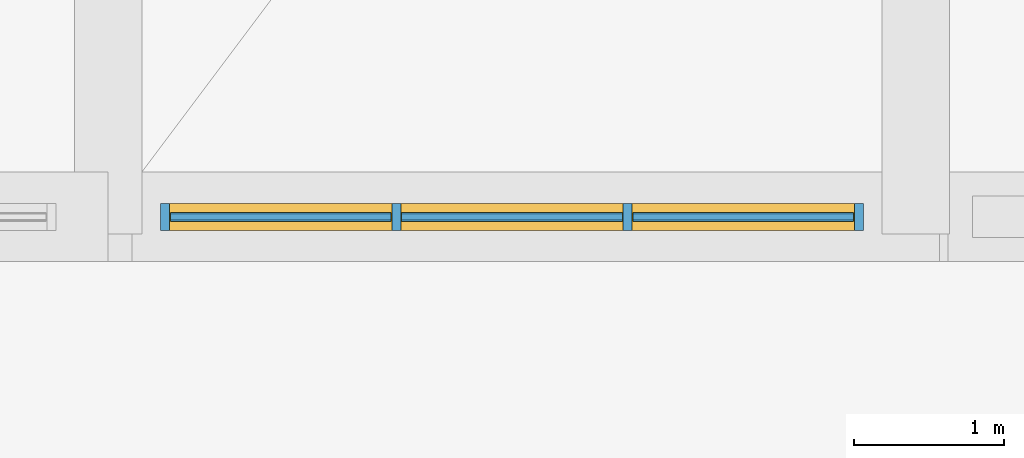
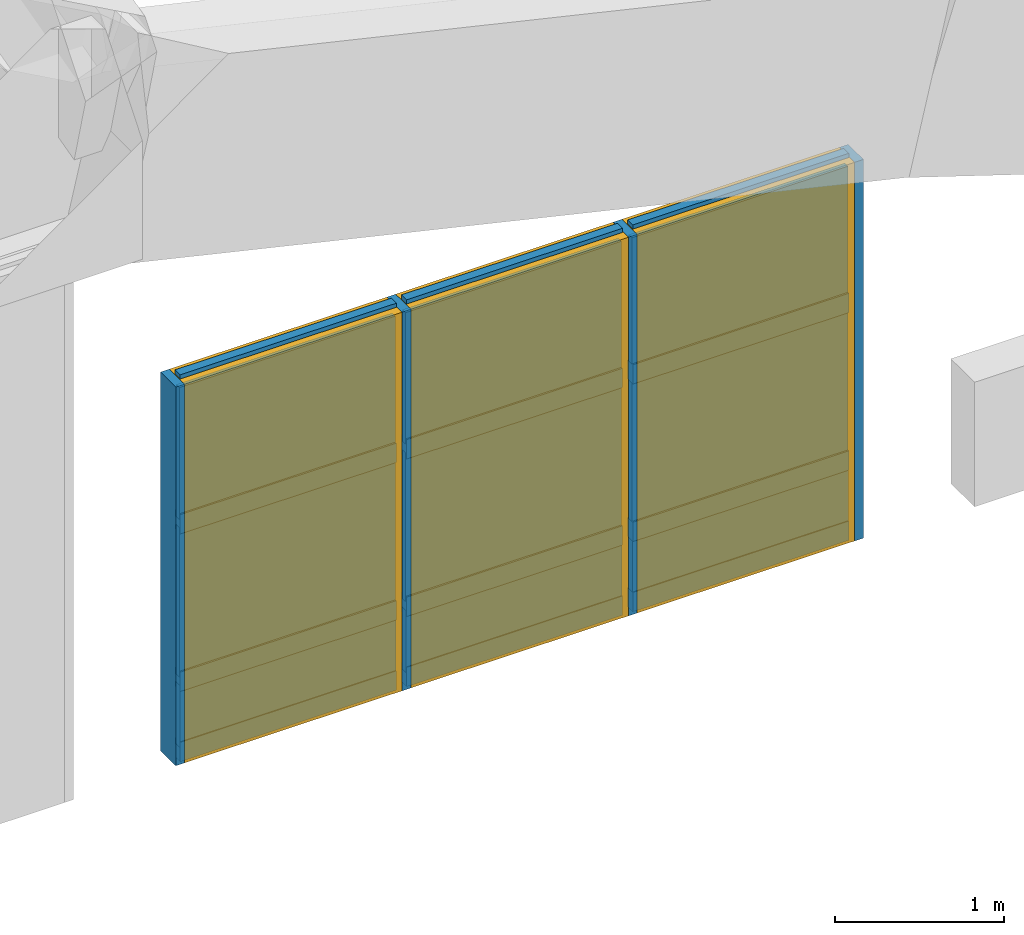
# One storey, part 27 of 27: 16 members, 9 plates, 1 curtain wall.
"""IFC4 building model written with IfcOpenShell, lengths in metres."""

from ifc_helpers import new_model, si_unit, direction, frame, frame_2d, origin, origin_2d, place, context, subcontext, project, spatial, rectangle, extrude, material, layer, layer_set, material_profile, profile_set, type_object, element, aggregate, save


model = new_model("IFC4")

# Units and contexts
model_context = context("Model", 3, precision=1e-05, world=origin(), true_north=direction((0.0, 1.0)))
body_context = subcontext(model_context, "Body", "Model", "MODEL_VIEW")
ifc_project = project(units=[si_unit("LENGTHUNIT", "METRE"), si_unit("AREAUNIT", "SQUARE_METRE"), si_unit("VOLUMEUNIT", "CUBIC_METRE"), si_unit("PLANEANGLEUNIT", "RADIAN"), si_unit("MASSUNIT", "GRAM", prefix="KILO")], contexts=[model_context])

# Member
ifc_material_1 = material(Name="Anodised Bronze Aluminium 6063-T6", Category="aluminium")
ifc_material_profile_1 = material_profile(ifc_material_1, rectangle(XDim=0.06005859375, YDim=0.179931640625, at=origin_2d()), Name="ALU MULLION 60x180")
ifc_profile_set_1 = profile_set([ifc_material_profile_1], Name="Anodised Bronze Aluminium 6063-T6")
member_type_1 = type_object("IfcMemberType", Name="Curtain-Wall Primary Mullion 60x180", PredefinedType="MULLION", material=ifc_profile_set_1)
site_placement = place(None, origin())
building_placement = place(site_placement, origin())
storey_placement = place(building_placement, frame((0.0, 0.0, 24.89990234375)))
member_1_placement = place(storey_placement, frame((79.580078125, 51.800048828125, -8.0498046875), z_axis=(0.0, 0.0, 1.0), x_axis=(1.0, 0.0, 0.0)))
member_1 = element("IfcMember", 1, at=member_1_placement, type_object=member_type_1, Name="Mullion CWM-01 CW-V1-TYMP-S-B5-M01", PredefinedType="MULLION", context=body_context, shape_type="SweptSolid", body=[
    extrude(rectangle(XDim=0.06005859375, YDim=0.179931640625, at=origin_2d()), origin(), (0.0, 0.0, 1.0), 2.736083984375),
])

member_2_placement = place(storey_placement, frame((81.126708984375, 51.800048828125, -8.0498046875), z_axis=(0.0, 0.0, 1.0), x_axis=(1.0, 0.0, 0.0)))
member_2 = element("IfcMember", 2, at=member_2_placement, type_object=member_type_1, Name="Mullion CWM-01 CW-V1-TYMP-S-B5-M02", PredefinedType="MULLION", context=body_context, shape_type="SweptSolid", body=[
    extrude(rectangle(XDim=0.06005859375, YDim=0.179931640625, at=origin_2d()), origin(), (0.0, 0.0, 1.0), 2.736083984375),
])

member_3_placement = place(storey_placement, frame((82.67333984375, 51.800048828125, -8.0498046875), z_axis=(0.0, 0.0, 1.0), x_axis=(1.0, 0.0, 0.0)))
member_3 = element("IfcMember", 3, at=member_3_placement, type_object=member_type_1, Name="Mullion CWM-01 CW-V1-TYMP-S-B5-M03", PredefinedType="MULLION", context=body_context, shape_type="SweptSolid", body=[
    extrude(rectangle(XDim=0.06005859375, YDim=0.179931640625, at=origin_2d()), origin(), (0.0, 0.0, 1.0), 2.736083984375),
])

member_4_placement = place(storey_placement, frame((84.219970703125, 51.800048828125, -8.0498046875), z_axis=(0.0, 0.0, 1.0), x_axis=(1.0, 0.0, 0.0)))
member_4 = element("IfcMember", 4, at=member_4_placement, type_object=member_type_1, Name="Mullion CWM-01 CW-V1-TYMP-S-B5-M04", PredefinedType="MULLION", context=body_context, shape_type="SweptSolid", body=[
    extrude(rectangle(XDim=0.06005859375, YDim=0.179931640625, at=origin_2d()), origin(), (0.0, 0.0, 1.0), 2.736083984375),
])

ifc_material_profile_2 = material_profile(ifc_material_1, rectangle(XDim=0.06005859375, YDim=0.139892578125, at=origin_2d()), Name="ALU TRANSOM 60x140")
ifc_profile_set_2 = profile_set([ifc_material_profile_2], Name="Anodised Bronze Aluminium 6063-T6")
member_type_2 = type_object("IfcMemberType", Name="Curtain-Wall Transom 60x140", PredefinedType="USERDEFINED", material=ifc_profile_set_2)
member_5_placement = place(storey_placement, frame((79.614990234375, 51.800048828125, -8.010009765625), z_axis=(1.0, 0.0, 0.0), x_axis=(0.0, 1.0, 0.0)))
member_5 = element("IfcMember", 5, at=member_5_placement, type_object=member_type_2, Name="Transom CWT-01 CW-V1-TYMP-S-B5-T01.1", ObjectType="TRANSOM", PredefinedType="USERDEFINED", context=body_context, shape_type="SweptSolid", body=[
    extrude(rectangle(XDim=0.06005859375, YDim=0.139892578125, at=origin_2d()), origin(), (0.0, 0.0, 1.0), 1.476806640625),
])

member_6_placement = place(storey_placement, frame((79.614990234375, 51.800048828125, -7.5029296875), z_axis=(1.0, 0.0, 0.0), x_axis=(0.0, 1.0, 0.0)))
member_6 = element("IfcMember", 6, at=member_6_placement, type_object=member_type_2, Name="Transom CWT-01 CW-V1-TYMP-S-B5-T01.2", ObjectType="TRANSOM", PredefinedType="USERDEFINED", context=body_context, shape_type="SweptSolid", body=[
    extrude(rectangle(XDim=0.06005859375, YDim=0.139892578125, at=origin_2d()), origin(), (0.0, 0.0, 1.0), 1.476806640625),
])

member_7_placement = place(storey_placement, frame((79.614990234375, 51.800048828125, -6.364501953125), z_axis=(1.0, 0.0, 0.0), x_axis=(0.0, 1.0, 0.0)))
member_7 = element("IfcMember", 7, at=member_7_placement, type_object=member_type_2, Name="Transom CWT-01 CW-V1-TYMP-S-B5-T01.3", ObjectType="TRANSOM", PredefinedType="USERDEFINED", context=body_context, shape_type="SweptSolid", body=[
    extrude(rectangle(XDim=0.06005859375, YDim=0.139892578125, at=origin_2d()), origin(), (0.0, 0.0, 1.0), 1.476806640625),
])

member_8_placement = place(storey_placement, frame((79.614990234375, 51.800048828125, -5.353759765625), z_axis=(1.0, 0.0, 0.0), x_axis=(0.0, 1.0, 0.0)))
member_8 = element("IfcMember", 8, at=member_8_placement, type_object=member_type_2, Name="Transom CWT-01 CW-V1-TYMP-S-B5-T01.4", ObjectType="TRANSOM", PredefinedType="USERDEFINED", context=body_context, shape_type="SweptSolid", body=[
    extrude(rectangle(XDim=0.06005859375, YDim=0.139892578125, at=origin_2d()), origin(), (0.0, 0.0, 1.0), 1.476806640625),
])

member_9_placement = place(storey_placement, frame((81.16162109375, 51.800048828125, -8.010009765625), z_axis=(1.0, 0.0, 0.0), x_axis=(0.0, 1.0, 0.0)))
member_9 = element("IfcMember", 9, at=member_9_placement, type_object=member_type_2, Name="Transom CWT-01 CW-V1-TYMP-S-B5-T02.1", ObjectType="TRANSOM", PredefinedType="USERDEFINED", context=body_context, shape_type="SweptSolid", body=[
    extrude(rectangle(XDim=0.06005859375, YDim=0.139892578125, at=origin_2d()), origin(), (0.0, 0.0, 1.0), 1.4765625),
])

member_10_placement = place(storey_placement, frame((81.16162109375, 51.800048828125, -7.5029296875), z_axis=(1.0, 0.0, 0.0), x_axis=(0.0, 1.0, 0.0)))
member_10 = element("IfcMember", 10, at=member_10_placement, type_object=member_type_2, Name="Transom CWT-01 CW-V1-TYMP-S-B5-T02.2", ObjectType="TRANSOM", PredefinedType="USERDEFINED", context=body_context, shape_type="SweptSolid", body=[
    extrude(rectangle(XDim=0.06005859375, YDim=0.139892578125, at=origin_2d()), origin(), (0.0, 0.0, 1.0), 1.4765625),
])

member_11_placement = place(storey_placement, frame((81.16162109375, 51.800048828125, -6.364501953125), z_axis=(1.0, 0.0, 0.0), x_axis=(0.0, 1.0, 0.0)))
member_11 = element("IfcMember", 11, at=member_11_placement, type_object=member_type_2, Name="Transom CWT-01 CW-V1-TYMP-S-B5-T02.3", ObjectType="TRANSOM", PredefinedType="USERDEFINED", context=body_context, shape_type="SweptSolid", body=[
    extrude(rectangle(XDim=0.06005859375, YDim=0.139892578125, at=origin_2d()), origin(), (0.0, 0.0, 1.0), 1.4765625),
])

member_12_placement = place(storey_placement, frame((81.16162109375, 51.800048828125, -5.353759765625), z_axis=(1.0, 0.0, 0.0), x_axis=(0.0, 1.0, 0.0)))
member_12 = element("IfcMember", 12, at=member_12_placement, type_object=member_type_2, Name="Transom CWT-01 CW-V1-TYMP-S-B5-T02.4", ObjectType="TRANSOM", PredefinedType="USERDEFINED", context=body_context, shape_type="SweptSolid", body=[
    extrude(rectangle(XDim=0.06005859375, YDim=0.139892578125, at=origin_2d()), origin(), (0.0, 0.0, 1.0), 1.4765625),
])

member_13_placement = place(storey_placement, frame((82.708251953125, 51.800048828125, -8.010009765625), z_axis=(1.0, 0.0, 0.0), x_axis=(0.0, 1.0, 0.0)))
member_13 = element("IfcMember", 13, at=member_13_placement, type_object=member_type_2, Name="Transom CWT-01 CW-V1-TYMP-S-B5-T03.1", ObjectType="TRANSOM", PredefinedType="USERDEFINED", context=body_context, shape_type="SweptSolid", body=[
    extrude(rectangle(XDim=0.06005859375, YDim=0.139892578125, at=origin_2d()), origin(), (0.0, 0.0, 1.0), 1.476806640625),
])

member_14_placement = place(storey_placement, frame((82.708251953125, 51.800048828125, -7.5029296875), z_axis=(1.0, 0.0, 0.0), x_axis=(0.0, 1.0, 0.0)))
member_14 = element("IfcMember", 14, at=member_14_placement, type_object=member_type_2, Name="Transom CWT-01 CW-V1-TYMP-S-B5-T03.2", ObjectType="TRANSOM", PredefinedType="USERDEFINED", context=body_context, shape_type="SweptSolid", body=[
    extrude(rectangle(XDim=0.06005859375, YDim=0.139892578125, at=origin_2d()), origin(), (0.0, 0.0, 1.0), 1.476806640625),
])

member_15_placement = place(storey_placement, frame((82.708251953125, 51.800048828125, -6.364501953125), z_axis=(1.0, 0.0, 0.0), x_axis=(0.0, 1.0, 0.0)))
member_15 = element("IfcMember", 15, at=member_15_placement, type_object=member_type_2, Name="Transom CWT-01 CW-V1-TYMP-S-B5-T03.3", ObjectType="TRANSOM", PredefinedType="USERDEFINED", context=body_context, shape_type="SweptSolid", body=[
    extrude(rectangle(XDim=0.06005859375, YDim=0.139892578125, at=origin_2d()), origin(), (0.0, 0.0, 1.0), 1.476806640625),
])

member_16_placement = place(storey_placement, frame((82.708251953125, 51.800048828125, -5.353759765625), z_axis=(1.0, 0.0, 0.0), x_axis=(0.0, 1.0, 0.0)))
member_16 = element("IfcMember", 16, at=member_16_placement, type_object=member_type_2, Name="Transom CWT-01 CW-V1-TYMP-S-B5-T03.4", ObjectType="TRANSOM", PredefinedType="USERDEFINED", context=body_context, shape_type="SweptSolid", body=[
    extrude(rectangle(XDim=0.06005859375, YDim=0.139892578125, at=origin_2d()), origin(), (0.0, 0.0, 1.0), 1.476806640625),
])

# Plate
ifc_material_2 = material(Name="Insulated Bronze Aluminium Spandrel Panel", Category="aluminium")
ifc_layer_1 = layer(ifc_material_2, 0.050048828125, Name="Insulated Bronze Aluminium Spandrel Panel")
ifc_layer_set_1 = layer_set([ifc_layer_1], Name="Insulated Bronze Aluminium Spandrel Panel")
plate_type_1 = type_object("IfcPlateType", Name="Insulated Anodised Aluminium Spandrel Cassette 50", PredefinedType="CURTAIN_PANEL", material=ifc_layer_set_1)
plate_1_placement = place(storey_placement, frame((80.353271484375, 51.800048828125, -7.97998046875), z_axis=(0.0, 0.0, 1.0), x_axis=(1.0, 0.0, 0.0)))
plate_1 = element("IfcPlate", 17, at=plate_1_placement, type_object=plate_type_1, Name="Curtain Panel CWP-03 CW-V1-TYMP-S-B5-P01.1", PredefinedType="CURTAIN_PANEL", context=body_context, shape_type="SweptSolid", body=[
    extrude(rectangle(XDim=1.476806640625, YDim=0.050048828125, at=origin_2d()), origin(), (0.0, 0.0, 1.0), 0.447021484375),
])

plate_2_placement = place(storey_placement, frame((81.89990234375, 51.800048828125, -7.97998046875), z_axis=(0.0, 0.0, 1.0), x_axis=(1.0, 0.0, 0.0)))
plate_2 = element("IfcPlate", 18, at=plate_2_placement, type_object=plate_type_1, Name="Curtain Panel CWP-03 CW-V1-TYMP-S-B5-P02.1", PredefinedType="CURTAIN_PANEL", context=body_context, shape_type="SweptSolid", body=[
    extrude(rectangle(XDim=1.476806640625, YDim=0.050048828125, at=origin_2d()), origin(), (0.0, 0.0, 1.0), 0.447021484375),
])

plate_3_placement = place(storey_placement, frame((83.44677734375, 51.800048828125, -7.97998046875), z_axis=(0.0, 0.0, 1.0), x_axis=(1.0, 0.0, 0.0)))
plate_3 = element("IfcPlate", 19, at=plate_3_placement, type_object=plate_type_1, Name="Curtain Panel CWP-03 CW-V1-TYMP-S-B5-P03.1", PredefinedType="CURTAIN_PANEL", context=body_context, shape_type="SweptSolid", body=[
    extrude(rectangle(XDim=1.476806640625, YDim=0.050048828125, at=origin_2d()), origin(), (0.0, 0.0, 1.0), 0.447021484375),
])

ifc_material_3 = material(Name="Solar-Control Tempered Double Glazing", Category="glass")
ifc_layer_2 = layer(ifc_material_3, 0.0380859375, Name="Solar-Control Tempered Double Glazing")
ifc_layer_set_2 = layer_set([ifc_layer_2], Name="Solar-Control Tempered Double Glazing")
plate_type_2 = type_object("IfcPlateType", Name="Solar-Control Vision Glazing Unit 38", PredefinedType="CURTAIN_PANEL", material=ifc_layer_set_2)
plate_4_placement = place(storey_placement, frame((80.353271484375, 51.800048828125, -7.47314453125), z_axis=(0.0, 0.0, 1.0), x_axis=(1.0, 0.0, 0.0)))
plate_4 = element("IfcPlate", 20, at=plate_4_placement, type_object=plate_type_2, Name="Curtain Panel CWP-02 CW-V1-TYMP-S-B5-P01.2", PredefinedType="CURTAIN_PANEL", context=body_context, shape_type="SweptSolid", body=[
    extrude(rectangle(XDim=1.476806640625, YDim=0.0380859375, at=origin_2d()), origin(), (0.0, 0.0, 1.0), 1.078369140625),
])

plate_5_placement = place(storey_placement, frame((80.353271484375, 51.800048828125, -6.33447265625), z_axis=(0.0, 0.0, 1.0), x_axis=(1.0, 0.0, 0.0)))
plate_5 = element("IfcPlate", 21, at=plate_5_placement, type_object=plate_type_2, Name="Curtain Panel CWP-02 CW-V1-TYMP-S-B5-P01.3", PredefinedType="CURTAIN_PANEL", context=body_context, shape_type="SweptSolid", body=[
    extrude(rectangle(XDim=1.476806640625, YDim=0.0380859375, at=origin_2d()), origin(), (0.0, 0.0, 1.0), 0.95068359375),
])

plate_6_placement = place(storey_placement, frame((81.89990234375, 51.800048828125, -7.47314453125), z_axis=(0.0, 0.0, 1.0), x_axis=(1.0, 0.0, 0.0)))
plate_6 = element("IfcPlate", 22, at=plate_6_placement, type_object=plate_type_2, Name="Curtain Panel CWP-02 CW-V1-TYMP-S-B5-P02.2", PredefinedType="CURTAIN_PANEL", context=body_context, shape_type="SweptSolid", body=[
    extrude(rectangle(XDim=1.476806640625, YDim=0.0380859375, at=origin_2d()), origin(), (0.0, 0.0, 1.0), 1.078369140625),
])

plate_7_placement = place(storey_placement, frame((81.89990234375, 51.800048828125, -6.33447265625), z_axis=(0.0, 0.0, 1.0), x_axis=(1.0, 0.0, 0.0)))
plate_7 = element("IfcPlate", 23, at=plate_7_placement, type_object=plate_type_2, Name="Curtain Panel CWP-02 CW-V1-TYMP-S-B5-P02.3", PredefinedType="CURTAIN_PANEL", context=body_context, shape_type="SweptSolid", body=[
    extrude(rectangle(XDim=1.476806640625, YDim=0.0380859375, at=origin_2d()), origin(), (0.0, 0.0, 1.0), 0.95068359375),
])

plate_8_placement = place(storey_placement, frame((83.44677734375, 51.800048828125, -7.47314453125), z_axis=(0.0, 0.0, 1.0), x_axis=(1.0, 0.0, 0.0)))
plate_8 = element("IfcPlate", 24, at=plate_8_placement, type_object=plate_type_2, Name="Curtain Panel CWP-02 CW-V1-TYMP-S-B5-P03.2", PredefinedType="CURTAIN_PANEL", context=body_context, shape_type="SweptSolid", body=[
    extrude(rectangle(XDim=1.476806640625, YDim=0.0380859375, at=origin_2d()), origin(), (0.0, 0.0, 1.0), 1.078369140625),
])

plate_9_placement = place(storey_placement, frame((83.44677734375, 51.800048828125, -6.33447265625), z_axis=(0.0, 0.0, 1.0), x_axis=(1.0, 0.0, 0.0)))
plate_9 = element("IfcPlate", 25, at=plate_9_placement, type_object=plate_type_2, Name="Curtain Panel CWP-02 CW-V1-TYMP-S-B5-P03.3", PredefinedType="CURTAIN_PANEL", context=body_context, shape_type="SweptSolid", body=[
    extrude(rectangle(XDim=1.476806640625, YDim=0.0380859375, at=origin_2d()), origin(), (0.0, 0.0, 1.0), 0.95068359375),
])

# Site, building, storey
site = spatial("IfcSite", under=ifc_project, at=site_placement, CompositionType="ELEMENT")
building = spatial("IfcBuilding", under=site, at=building_placement, Name="Tazoul Stagehouse", CompositionType="ELEMENT")
storey = spatial("IfcBuildingStorey", under=building, at=storey_placement, Name="RF", CompositionType="ELEMENT", Elevation=24.89990234375)

# Curtain wall
curtain_wall_type = type_object("IfcCurtainWallType", Name="Atrium Clerestory Glazed Wall", PredefinedType="NOTDEFINED", material=ifc_material_1)
curtain_wall_placement = place(storey_placement, frame((79.580078125, 51.800048828125, -8.0498046875), z_axis=(0.0, 0.0, 1.0), x_axis=(1.0, 0.0, 0.0)))
curtain_wall = element("IfcCurtainWall", 26, at=curtain_wall_placement, inside=storey, type_object=curtain_wall_type, Name="RF Curtain Wall CW-05 (CW-V1-TYMP-S-B5)", PredefinedType="NOTDEFINED", context=body_context, shape_type="SweptSolid", body=[
    extrude(rectangle(XDim=4.639892578125, YDim=0.179931640625, at=frame_2d((2.31982421875, 0.0))), origin(), (0.0, 0.0, 1.0), 2.736083984375),
])

aggregate(curtain_wall, [member_1, member_2, member_3, member_4, member_5, member_6, member_7, member_8, plate_1, plate_4, plate_5, member_9, member_10, member_11, member_12, plate_2, plate_6, plate_7, member_13, member_14, member_15, member_16, plate_3, plate_8, plate_9])

save(model, "model.ifc")
